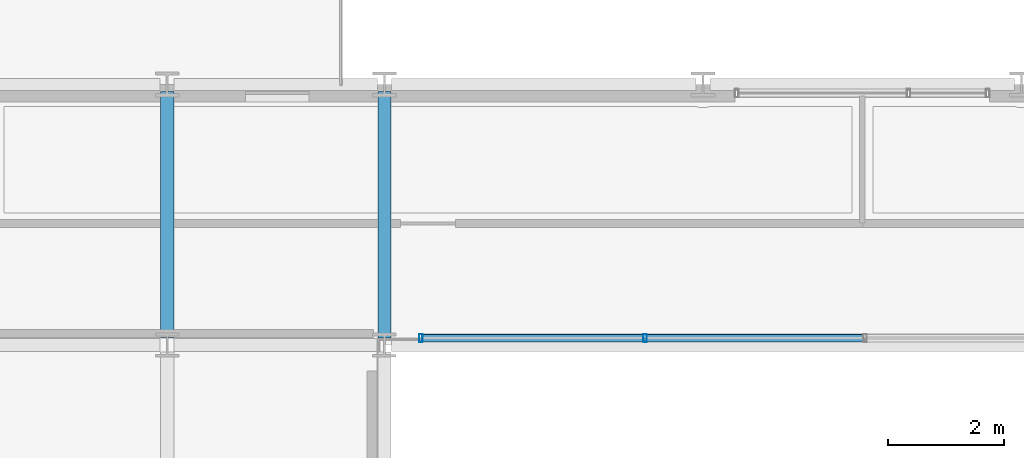
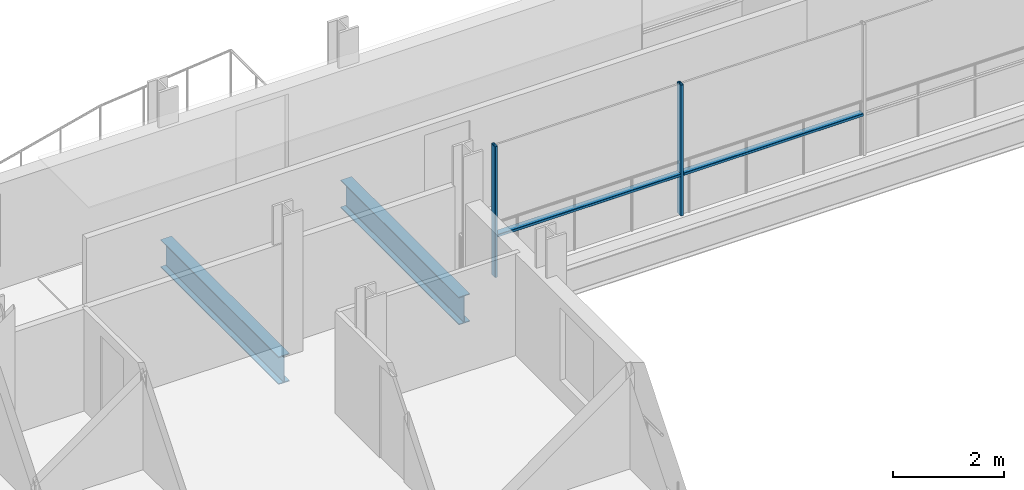
# One storey, part 9 of 41: 4 members, 2 beams, 1 element without a shape of its own.
"""IFC4 building model written with IfcOpenShell, lengths in metres."""

from ifc_helpers import new_model, si_unit, direction, frame, origin, origin_2d, place, context, subcontext, project, spatial, hollow_rectangle, i_section, extrude, material, layer, layer_set, material_profile, profile_set, type_object, element, aggregate, save


model = new_model("IFC4")

# Units and contexts
model_context = context("Model", 3, precision=1e-05, world=origin(), true_north=direction((0.0, 1.0)))
body_context = subcontext(model_context, "Body", "Model", "MODEL_VIEW")
ifc_project = project(units=[si_unit("LENGTHUNIT", "METRE"), si_unit("AREAUNIT", "SQUARE_METRE"), si_unit("VOLUMEUNIT", "CUBIC_METRE"), si_unit("PLANEANGLEUNIT", "RADIAN"), si_unit("MASSUNIT", "GRAM", prefix="KILO")], contexts=[model_context])

# Site, building, storey
site_placement = place(None, origin())
site = spatial("IfcSite", under=ifc_project, at=site_placement, CompositionType="ELEMENT")
building_placement = place(site_placement, origin())
building = spatial("IfcBuilding", under=site, at=building_placement, Name="Brevholm Reach", CompositionType="ELEMENT")
storey_placement = place(building_placement, frame((0.0, 0.0, 100.39990234375)))
storey = spatial("IfcBuildingStorey", under=building, at=storey_placement, Name="L29", CompositionType="ELEMENT", Elevation=100.39990234375)

# Beams
ifc_material_1 = material(Name="Structural Steel S355J2", Category="steel")
ifc_material_profile_1 = material_profile(ifc_material_1, i_section(OverallWidth=0.22900390625, OverallDepth=0.6123046875, WebThickness=0.011962890625, FlangeThickness=0.01953125, FilletRadius=0.0126953125, at=origin_2d()), Name="UKB 610x229x125")
ifc_profile_set_1 = profile_set([ifc_material_profile_1], Name="Structural Steel S355J2")
beam_type = type_object("IfcBeamType", Name="BM-SP610", PredefinedType="SPANDREL", material=ifc_profile_set_1)
for number, where, z_axis, x_axis, name in (
    (1, (18.0, 26.6201171875, -0.526123046875), (0.0, 1.0, 0.0), (-1.0, 0.0, 0.0), "L29 SP-01 Framing Beam"),
    (2, (21.75, 26.6201171875, -0.526123046875), (0.0, 1.0, 0.0), (-1.0, 0.0, 0.0), "L29 SP-01 Framing Beam"),
):
    element("IfcBeam", number, at=place(storey_placement, frame(where, z_axis=z_axis, x_axis=x_axis)), inside=storey, type_object=beam_type, Name=name, PredefinedType="SPANDREL", context=body_context, shape_type="SweptSolid", body=[
        extrude(i_section(OverallWidth=0.22900390625, OverallDepth=0.6123046875, WebThickness=0.011962890625, FlangeThickness=0.01953125, FilletRadius=0.0126953125, at=origin_2d()), origin(), (0.0, 0.0, 1.0), 4.259765625),
    ])

# Curtain wall, members
ifc_material_2 = material(Name="Dark Anodised Aluminium 6063-T6 and Solar-Control Glass", Category="aluminium")
ifc_layer = layer(ifc_material_2, 0.139892578125)
ifc_layer_set = layer_set([ifc_layer], Name="Dark Anodised Aluminium 6063-T6 and Solar-Control Glass")
curtain_wall_type = type_object("IfcCurtainWallType", Name="CW-02", PredefinedType="NOTDEFINED", material=ifc_layer_set)
curtain_wall_placement = place(storey_placement, origin())
curtain_wall = element("IfcCurtainWall", 3, at=curtain_wall_placement, inside=storey, type_object=curtain_wall_type, Name="L29 Curtain Wall CW-02", PredefinedType="NOTDEFINED")
ifc_material_3 = material(Name="Dark Anodised Aluminium 6063-T6", Category="aluminium")
ifc_material_profile_2 = material_profile(ifc_material_3, hollow_rectangle(XDim=0.06005859375, YDim=0.139892578125, WallThickness=0.0048828125, InnerFilletRadius=0.0048828125, OuterFilletRadius=0.010009765625, at=origin_2d()), Name="RHS 140x60x5")
ifc_profile_set_2 = profile_set([ifc_material_profile_2], Name="Dark Anodised Aluminium 6063-T6")
member_type_1 = type_object("IfcMemberType", Name="CWM-140", PredefinedType="MULLION", material=ifc_profile_set_2)
member_1_placement = place(storey_placement, frame((26.25, 26.6201171875, 0.0), z_axis=(0.0, 0.0, 1.0), x_axis=(-1.0, 0.0, 0.0)))
member_1 = element("IfcMember", 4, at=member_1_placement, type_object=member_type_1, Name="CM-140 Mullion 4", PredefinedType="MULLION", context=body_context, shape_type="SweptSolid", body=[
    extrude(hollow_rectangle(XDim=0.06005859375, YDim=0.139892578125, WallThickness=0.0048828125, InnerFilletRadius=0.0048828125, OuterFilletRadius=0.010009765625, at=origin_2d()), origin(), (0.0, 0.0, 1.0), 2.880126953125),
])
member_2_placement = place(storey_placement, frame((22.3798828125, 26.6201171875, 0.0), z_axis=(0.0, 0.0, 1.0), x_axis=(-1.0, 0.0, 0.0)))
member_2 = element("IfcMember", 5, at=member_2_placement, type_object=member_type_1, Name="CM-140 Mullion 5", PredefinedType="MULLION", context=body_context, shape_type="SweptSolid", body=[
    extrude(hollow_rectangle(XDim=0.06005859375, YDim=0.139892578125, WallThickness=0.0048828125, InnerFilletRadius=0.0048828125, OuterFilletRadius=0.010009765625, at=origin_2d()), origin(), (0.0, 0.0, 1.0), 2.880126953125),
])
ifc_material_4 = material(Name="Dark Anodised Aluminium 6063-T6", Category="aluminium")
ifc_material_profile_3 = material_profile(ifc_material_4, hollow_rectangle(XDim=0.06005859375, YDim=0.139892578125, WallThickness=0.0048828125, InnerFilletRadius=0.0048828125, OuterFilletRadius=0.010009765625, at=origin_2d()), Name="RHS 140x60x5")
ifc_profile_set_3 = profile_set([ifc_material_profile_3], Name="Dark Anodised Aluminium 6063-T6")
member_type_2 = type_object("IfcMemberType", Name="CWT-140", PredefinedType="NOTDEFINED", material=ifc_profile_set_3)
member_3_placement = place(storey_placement, frame((30.02001953125, 26.6201171875, 0.900146484375), z_axis=(-1.0, 0.0, 0.0), x_axis=(0.0, 0.0, 1.0)))
member_3 = element("IfcMember", 6, at=member_3_placement, type_object=member_type_2, Name="CT-140 Transom 3.1", ObjectType="TRANSOM", PredefinedType="USERDEFINED", context=body_context, shape_type="SweptSolid", body=[
    extrude(hollow_rectangle(XDim=0.06005859375, YDim=0.139892578125, WallThickness=0.0048828125, InnerFilletRadius=0.0048828125, OuterFilletRadius=0.010009765625, at=origin_2d()), origin(), (0.0, 0.0, 1.0), 3.739990234375),
])
member_4_placement = place(storey_placement, frame((26.219970703125, 26.6201171875, 0.900146484375), z_axis=(-1.0, 0.0, 0.0), x_axis=(0.0, 0.0, 1.0)))
member_4 = element("IfcMember", 7, at=member_4_placement, type_object=member_type_2, Name="CT-140 Transom 4.1", ObjectType="TRANSOM", PredefinedType="USERDEFINED", context=body_context, shape_type="SweptSolid", body=[
    extrude(hollow_rectangle(XDim=0.06005859375, YDim=0.139892578125, WallThickness=0.0048828125, InnerFilletRadius=0.0048828125, OuterFilletRadius=0.010009765625, at=origin_2d()), origin(), (0.0, 0.0, 1.0), 3.81005859375),
])
aggregate(curtain_wall, [member_1, member_2, member_3, member_4])

save(model, "model.ifc")
